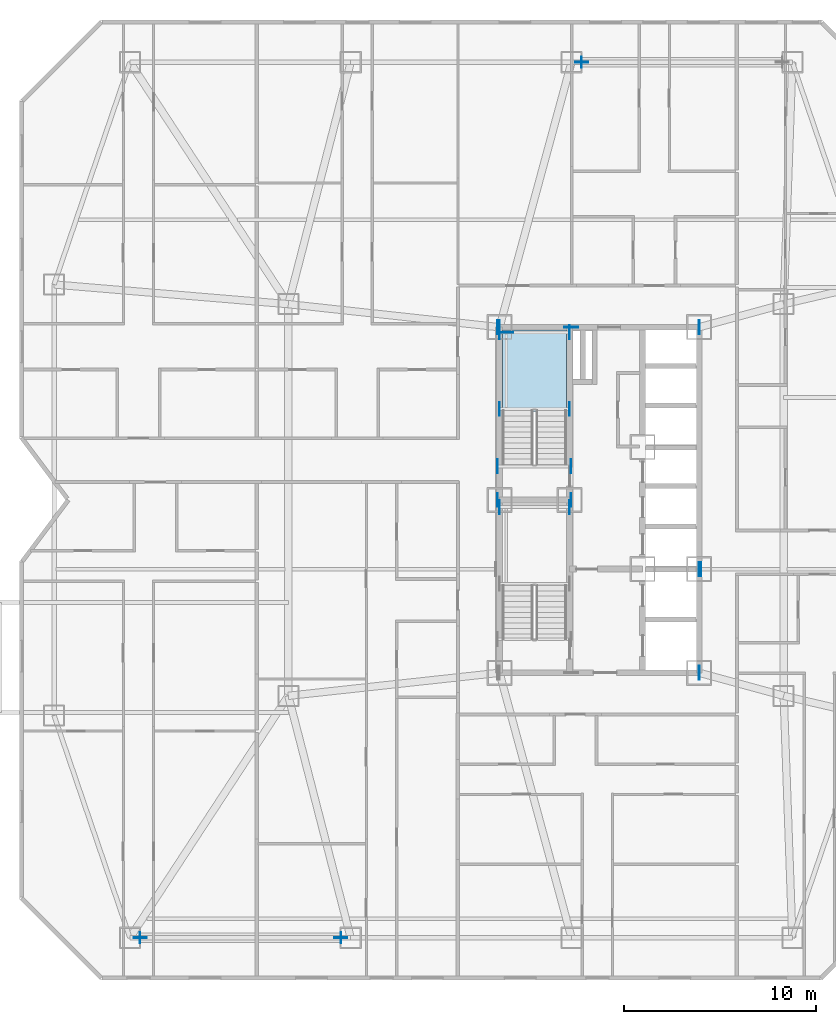
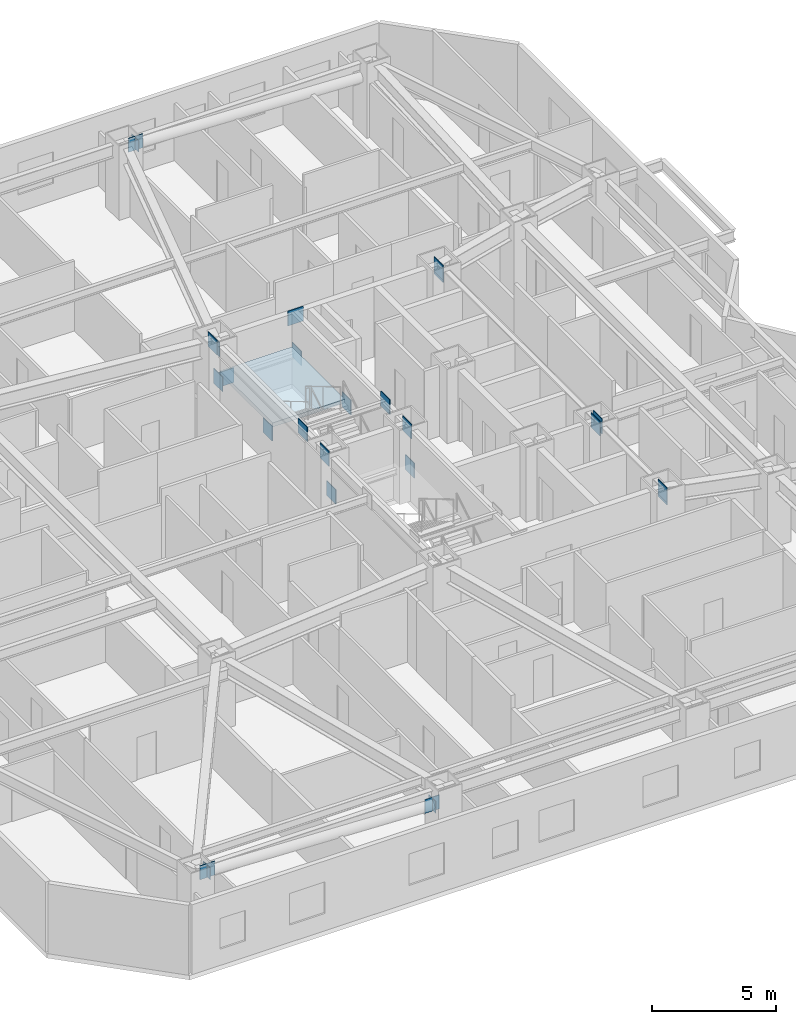
# One storey, part 4 of 13: 26 plates, 1 slab, 1 element without a shape of its own.
"""IFC4 building model written with IfcOpenShell, lengths in metres."""

import ifcopenshell
import ifcopenshell.guid

model = None  # the IFC model being written
_history = None  # IfcOwnerHistory: only IFC2X3 demands one
_inside = {}  # id of a spatial element -> (the spatial element, [elements in it])
_under = {}  # id of a project, library or spatial element -> (it, [spatial elements below it])
_declared = {}  # id of a project -> (the project, [libraries it declares])
_typed = {}  # id of a type object -> (the type object, [elements of that type])
_made_of = {}  # id of a material, layer set ... -> (it, [elements and type objects made of it])


def new_model(schema):
    """Start an empty IFC model of exactly this schema.

    Asked for "IFC4X3", IfcOpenShell would pick the latest addendum, in which some entities
    have other attributes; the version numbers below select the first issue.
    IFC2X3 requires an IfcOwnerHistory on every rooted entity: one is made here for all.
    """
    global model, _history
    if schema == "IFC4X3":
        model = ifcopenshell.file(schema_version=(4, 3, 0, 0))
    else:
        model = ifcopenshell.file(schema=schema)
    _inside.clear()
    _under.clear()
    _declared.clear()
    _typed.clear()
    _made_of.clear()
    _history = None
    if model.schema == "IFC2X3":
        org = make("IfcOrganization", Name="unknown")
        user = make(
            "IfcPersonAndOrganization",
            ThePerson=make("IfcPerson", FamilyName="unknown"),
            TheOrganization=org,
        )
        app = make(
            "IfcApplication",
            ApplicationDeveloper=org,
            Version="unknown",
            ApplicationFullName="unknown",
            ApplicationIdentifier="unknown",
        )
        _history = make(
            "IfcOwnerHistory",
            OwningUser=user,
            OwningApplication=app,
            ChangeAction="ADDED",
            CreationDate=0,
        )
    return model


def make(cls, **values):
    """One entity of the class cls with the attributes given. An attribute that is None is left unset."""
    return model.create_entity(
        cls, **{name: value for name, value in values.items() if value is not None}
    )


def rooted(cls, **values):
    """An entity with a GlobalId (a new one), such as an element, a storey or a relation."""
    return make(cls, GlobalId=ifcopenshell.guid.new(), OwnerHistory=_history, **values)


def si_unit(unit_type, name, prefix=None):
    """IfcSIUnit, for example si_unit("LENGTHUNIT", "METRE", prefix="MILLI")."""
    return make("IfcSIUnit", UnitType=unit_type, Prefix=prefix, Name=name)


def assignment(units):
    """IfcUnitAssignment: the units of a project."""
    return None if units is None else make("IfcUnitAssignment", Units=units)


def point(xyz):
    """IfcCartesianPoint."""
    return None if xyz is None else make("IfcCartesianPoint", Coordinates=xyz)


def direction(xyz):
    """IfcDirection."""
    return None if xyz is None else make("IfcDirection", DirectionRatios=xyz)


def frame(location, z_axis=None, x_axis=None):
    """IfcAxis2Placement3D, a coordinate frame: its origin and axes. An axis left out is left unset."""
    return make(
        "IfcAxis2Placement3D",
        Location=point(location),
        Axis=direction(z_axis),
        RefDirection=direction(x_axis),
    )


def frame_2d(location, x_axis=None):
    """IfcAxis2Placement2D, a coordinate frame in the plane: its origin and x axis."""
    return make(
        "IfcAxis2Placement2D", Location=point(location), RefDirection=direction(x_axis)
    )


def origin():
    """The frame at (0, 0, 0) with its axes left unset."""
    return frame((0.0, 0.0, 0.0))


def origin_2d():
    """The frame at (0, 0) in the plane with its x axis left unset."""
    return frame_2d((0.0, 0.0))


def place(relative_to, where):
    """IfcLocalPlacement: puts the frame where relative to a parent placement (None: the world)."""
    return make(
        "IfcLocalPlacement", PlacementRelTo=relative_to, RelativePlacement=where
    )


def context(
    kind, dimensions, precision=None, world=None, true_north=None, identifier=None
):
    """IfcGeometricRepresentationContext, for example the 3D "Model" context."""
    return make(
        "IfcGeometricRepresentationContext",
        ContextIdentifier=identifier,
        ContextType=kind,
        CoordinateSpaceDimension=dimensions,
        Precision=precision,
        WorldCoordinateSystem=world,
        TrueNorth=true_north,
    )


def subcontext(parent, identifier, kind, view, scale=None):
    """IfcGeometricRepresentationSubContext, for example "Body" below "Model"."""
    return make(
        "IfcGeometricRepresentationSubContext",
        ContextIdentifier=identifier,
        ContextType=kind,
        ParentContext=parent,
        TargetScale=scale,
        TargetView=view,
    )


def project(units=None, contexts=None):
    """IfcProject with its units and contexts."""
    return rooted(
        "IfcProject",
        Name="project",
        RepresentationContexts=contexts,
        UnitsInContext=assignment(units),
    )


def spatial(cls, under=None, at=None, **own):
    """A site, building, storey or space (cls), placed at a placement, below another one or the project."""
    s = rooted(cls, ObjectPlacement=at, **own)
    if under is not None:
        _under.setdefault(under.id(), (under, []))[1].append(s)
    return s


def polyline(points):
    """IfcPolyline through the points."""
    return make("IfcPolyline", Points=[point(p) for p in points])


def profile(cls, at=None, kind="AREA", **sizes):
    """A parametric profile (cls). Its sizes go by their IFC names, for example OverallWidth=200.0."""
    return make(cls, ProfileType=kind, Position=at, **sizes)


def rectangle(**sizes):
    """IfcRectangleProfileDef."""
    return profile("IfcRectangleProfileDef", **sizes)


def outline(outer, holes=None, kind="AREA"):
    """IfcArbitraryClosedProfileDef: a profile drawn as a closed curve; with holes, ...WithVoids."""
    if holes is None:
        return make("IfcArbitraryClosedProfileDef", ProfileType=kind, OuterCurve=outer)
    return make(
        "IfcArbitraryProfileDefWithVoids",
        ProfileType=kind,
        OuterCurve=outer,
        InnerCurves=holes,
    )


def extrude(swept, where, along, depth):
    """IfcExtrudedAreaSolid: the profile swept, set in the frame where, extruded along a direction by depth."""
    return make(
        "IfcExtrudedAreaSolid",
        SweptArea=swept,
        Position=where,
        ExtrudedDirection=direction(along),
        Depth=depth,
    )


def shape(context_of_items, identifier, shape_type, items):
    """IfcShapeRepresentation: the items that make up one representation, for example the "Body"."""
    return make(
        "IfcShapeRepresentation",
        ContextOfItems=context_of_items,
        RepresentationIdentifier=identifier,
        RepresentationType=shape_type,
        Items=items,
    )


def material(Name=None, Category=None):
    """IfcMaterial."""
    return make("IfcMaterial", Name=Name, Category=Category)


def layer(
    of_material, thickness, ventilated=None, Name=None, Category=None, Priority=None
):
    """IfcMaterialLayer: one layer of a wall or slab, of a material (None: an air gap)."""
    return make(
        "IfcMaterialLayer",
        Material=of_material,
        LayerThickness=thickness,
        IsVentilated=ventilated,
        Name=Name,
        Category=Category,
        Priority=Priority,
    )


def layer_set(layers, Name=None):
    """IfcMaterialLayerSet."""
    return make("IfcMaterialLayerSet", MaterialLayers=layers, LayerSetName=Name)


def made_of(thing, what):
    """Note that an element or type object is made of a material, layer set ...; save() writes the relation."""
    if what is not None:
        _made_of.setdefault(what.id(), (what, []))[1].append(thing)
    return thing


def type_object(cls, material=None, **own):
    """A type object (cls), such as IfcWallType, which elements share."""
    return made_of(rooted(cls, **own), material)


def element(
    cls,
    number,
    at=None,
    inside=None,
    cuts=None,
    type_object=None,
    material=None,
    context=None,
    identifier="Body",
    shape_type=None,
    held_by="IfcProductDefinitionShape",
    body=None,
    shapes=None,
    **own,
):
    """One element of the class cls, such as IfcWall. Its Tag is "e" and its number.

    at: its placement. inside: the storey or other place that contains it. cuts: it is an
    opening in that element (IfcRelVoidsElement). A single representation is given by context,
    identifier, shape_type and body (its items); several are given by shapes. held_by: the class
    of the entity that holds the representations. save() writes the other relations.
    """
    e = rooted(cls, Tag="e%d" % number, ObjectPlacement=at, **own)
    if body is not None:
        shapes = [shape(context, identifier, shape_type, body)]
    if shapes is not None:
        e.Representation = make(held_by, Representations=shapes)
    if inside is not None:
        _inside.setdefault(inside.id(), (inside, []))[1].append(e)
    if cuts is not None:
        rooted(
            "IfcRelVoidsElement", RelatingBuildingElement=cuts, RelatedOpeningElement=e
        )
    if type_object is not None:
        _typed.setdefault(type_object.id(), (type_object, []))[1].append(e)
    return made_of(e, material)


def aggregate(whole, parts):
    """IfcRelAggregates: a whole, such as a stair, and the parts it consists of."""
    return rooted("IfcRelAggregates", RelatingObject=whole, RelatedObjects=parts)


def save(model, path):
    """Write the relations noted so far, then the file.

    IfcRelAggregates (storeys below a building ...), IfcRelContainedInSpatialStructure (elements
    in a storey), IfcRelDefinesByType, IfcRelAssociatesMaterial and IfcRelDeclares: one each for
    every whole, place, type object, material and project.
    """
    for whole, parts in _under.values():
        aggregate(whole, parts)
    for where, things in _inside.values():
        rooted(
            "IfcRelContainedInSpatialStructure",
            RelatedElements=things,
            RelatingStructure=where,
        )
    for kind, things in _typed.values():
        rooted("IfcRelDefinesByType", RelatedObjects=things, RelatingType=kind)
    for what, things in _made_of.values():
        rooted("IfcRelAssociatesMaterial", RelatedObjects=things, RelatingMaterial=what)
    for by, libraries in _declared.values():
        rooted("IfcRelDeclares", RelatingContext=by, RelatedDefinitions=libraries)
    model.write(path)


model = new_model("IFC4")

# Units and contexts
model_context = context("Model", 3, precision=1e-05, world=origin(), true_north=direction((0.0, 1.0)))
body_context = subcontext(model_context, "Body", "Model", "MODEL_VIEW")
ifc_project = project(units=[si_unit("LENGTHUNIT", "METRE"), si_unit("AREAUNIT", "SQUARE_METRE"), si_unit("VOLUMEUNIT", "CUBIC_METRE"), si_unit("PLANEANGLEUNIT", "RADIAN"), si_unit("MASSUNIT", "GRAM", prefix="KILO")], contexts=[model_context])

# Site, building, storey
site_placement = place(None, origin())
site = spatial("IfcSite", under=ifc_project, at=site_placement, CompositionType="ELEMENT")
building_placement = place(site_placement, origin())
building = spatial("IfcBuilding", under=site, at=building_placement, Name="Khamvora Tower", CompositionType="ELEMENT")
storey_placement = place(building_placement, frame((0.0, 0.0, 62.5)))
storey = spatial("IfcBuildingStorey", under=building, at=storey_placement, Name="L15", CompositionType="ELEMENT", Elevation=62.5)

# Plates
ifc_material_1 = material(Name="Steel S355", Category="steel")
ifc_layer_1 = layer(ifc_material_1, 0.02490234375)
ifc_layer_set_1 = layer_set([ifc_layer_1], Name="Steel S355")
plate_type_1 = type_object("IfcPlateType", Name="PL-CAP-25", PredefinedType="SHEET", material=ifc_layer_set_1)
for number, where, z_axis, x_axis, name in (
    (1, (20.73193359375, 5.199951171875, 2.416015625), (0.0, 0.0, 1.0), (-1.0, 0.0, 0.0), "L15 hollow section steel end cap plate 0588"),
    (2, (10.26806640625, 5.199951171875, 2.81787109375), (0.0, 0.0, 1.0), (-1.0, 0.0, 0.0), "L15 hollow section steel end cap plate 0589"),
    (3, (33.26806640625, 50.800048828125, 2.81787109375), (0.0, 0.0, 1.0), (-1.0, 0.0, 0.0), "L15 hollow section steel end cap plate 0591"),
):
    element("IfcPlate", number, at=place(storey_placement, frame(where, z_axis=z_axis, x_axis=x_axis)), inside=storey, type_object=plate_type_1, Name=name, PredefinedType="SHEET", context=body_context, shape_type="SweptSolid", body=[
        extrude(rectangle(XDim=0.02490234375, YDim=0.568115234375, at=origin_2d()), origin(), (0.0, 0.0, 1.0), 0.568115234375),
    ])
ifc_material_2 = material(Name="Steel S460", Category="steel")
ifc_layer_2 = layer(ifc_material_2, 0.034912109375)
ifc_layer_set_2 = layer_set([ifc_layer_2], Name="Steel S460")
plate_type_2 = type_object("IfcPlateType", Name="PL-EMB-35", PredefinedType="SHEET", material=ifc_layer_set_2)
for number, where, z_axis, x_axis, name in (
    (4, (29.0, 27.6298828125, 1.1337890625), (0.0, 0.0, 1.0), (1.0, 0.0, 0.0), "L15 core shear wall cast-in embed plate 0452"),
    (5, (32.64990234375, 27.6298828125, 1.1337890625), (0.0, 0.0, 1.0), (1.0, 0.0, 0.0), "L15 core shear wall cast-in embed plate 0453"),
    (6, (29.0, 32.735107421875, 1.1337890625), (0.0, 0.0, 1.0), (1.0, 0.0, 0.0), "L15 core shear wall cast-in embed plate 0454"),
    (7, (32.64990234375, 32.735107421875, 1.1337890625), (0.0, 0.0, 1.0), (1.0, 0.0, 0.0), "L15 core shear wall cast-in embed plate 0455"),
    (8, (29.0, 36.72998046875, 1.1337890625), (0.0, 0.0, 1.0), (1.0, 0.0, 0.0), "L15 core shear wall cast-in embed plate 0456"),
    (9, (32.64990234375, 36.72998046875, 1.1337890625), (0.0, 0.0, 1.0), (1.0, 0.0, 0.0), "L15 core shear wall cast-in embed plate 0457"),
):
    element("IfcPlate", number, at=place(storey_placement, frame(where, z_axis=z_axis, x_axis=x_axis)), inside=storey, type_object=plate_type_2, Name=name, PredefinedType="SHEET", context=body_context, shape_type="SweptSolid", body=[
        extrude(rectangle(XDim=0.034912109375, YDim=0.719970703125, at=origin_2d()), origin(), (0.0, 0.0, 1.0), 0.719970703125),
    ])
plate_1_placement = place(storey_placement, frame((29.35009765625, 36.72998046875, 1.1337890625), z_axis=(0.0, 0.0, 1.0), x_axis=(1.0, 0.0, 0.0)))
element("IfcPlate", 10, at=plate_1_placement, inside=storey, type_object=plate_type_2, Name="L15 core shear wall cast-in embed plate 0458", PredefinedType="SHEET", context=body_context, shape_type="SweptSolid", body=[
    extrude(rectangle(XDim=0.719970703125, YDim=0.034912109375, at=origin_2d()), origin(), (0.0, 0.0, 1.0), 0.719970703125),
])
for number, where, z_axis, x_axis, name in (
    (11, (29.0, 37.0, 2.68408203125), (0.0, 0.0, 1.0), (1.0, 0.0, 0.0), "L15 core shear wall cast-in embed plate 0460"),
    (12, (39.39990234375, 19.0, 2.68408203125), (0.0, 0.0, 1.0), (1.0, 0.0, 0.0), "L15 core shear wall cast-in embed plate 0461"),
    (13, (39.39990234375, 37.0, 2.68408203125), (0.0, 0.0, 1.0), (1.0, 0.0, 0.0), "L15 core shear wall cast-in embed plate 0462"),
    (14, (28.89990234375, 28.0, 2.80419921875), (0.0, 0.0, 1.0), (1.0, 0.0, 0.0), "L15 core shear wall cast-in embed plate 0464"),
    (15, (28.89990234375, 37.0, 2.80419921875), (0.0, 0.0, 1.0), (1.0, 0.0, 0.0), "L15 core shear wall cast-in embed plate 0465"),
    (16, (32.72998046875, 28.0, 2.80419921875), (0.0, 0.0, 1.0), (1.0, 0.0, 0.0), "L15 core shear wall cast-in embed plate 0467"),
):
    element("IfcPlate", number, at=place(storey_placement, frame(where, z_axis=z_axis, x_axis=x_axis)), inside=storey, type_object=plate_type_2, Name=name, PredefinedType="SHEET", context=body_context, shape_type="SweptSolid", body=[
        extrude(rectangle(XDim=0.034912109375, YDim=0.719970703125, at=origin_2d()), origin(), (0.0, 0.0, 1.0), 0.719970703125),
    ])
plate_2_placement = place(storey_placement, frame((32.72998046875, 37.0, 2.80419921875), z_axis=(0.0, 0.0, 1.0), x_axis=(1.0, 0.0, 0.0)))
element("IfcPlate", 17, at=plate_2_placement, inside=storey, type_object=plate_type_2, Name="L15 core shear wall cast-in embed plate 0468", PredefinedType="SHEET", context=body_context, shape_type="SweptSolid", body=[
    extrude(rectangle(XDim=0.719970703125, YDim=0.034912109375, at=origin_2d()), origin(), (0.0, 0.0, 1.0), 0.719970703125),
])
for number, where, z_axis, x_axis, name in (
    (18, (39.39990234375, 19.0, 2.80419921875), (0.0, 0.0, 1.0), (1.0, 0.0, 0.0), "L15 core shear wall cast-in embed plate 0469"),
    (19, (39.39990234375, 24.39990234375, 2.80419921875), (0.0, 0.0, 1.0), (1.0, 0.0, 0.0), "L15 core shear wall cast-in embed plate 0470"),
    (20, (39.39990234375, 37.0, 2.80419921875), (0.0, 0.0, 1.0), (1.0, 0.0, 0.0), "L15 core shear wall cast-in embed plate 0471"),
    (21, (28.89990234375, 29.75, 2.94384765625), (0.0, 0.0, 1.0), (1.0, 0.0, 0.0), "L15 core shear wall cast-in embed plate 0474"),
    (22, (32.72998046875, 29.75, 2.94384765625), (0.0, 0.0, 1.0), (1.0, 0.0, 0.0), "L15 core shear wall cast-in embed plate 0475"),
    (23, (39.4990234375, 24.39990234375, 2.8671875), (0.0, 0.0, 1.0), (1.0, 0.0, 0.0), "L15 core shear wall cast-in embed plate 0477"),
):
    element("IfcPlate", number, at=place(storey_placement, frame(where, z_axis=z_axis, x_axis=x_axis)), inside=storey, type_object=plate_type_2, Name=name, PredefinedType="SHEET", context=body_context, shape_type="SweptSolid", body=[
        extrude(rectangle(XDim=0.034912109375, YDim=0.719970703125, at=origin_2d()), origin(), (0.0, 0.0, 1.0), 0.719970703125),
    ])
ifc_layer_3 = layer(ifc_material_2, 0.0400390625)
ifc_layer_set_3 = layer_set([ifc_layer_3], Name="Steel S460")
plate_type_3 = type_object("IfcPlateType", Name="PLT-GUS-40", PredefinedType="SHEET", material=ifc_layer_set_3)
for number, where, z_axis, x_axis, name in (
    (24, (20.719970703125, 5.199951171875, 2.35986328125), (0.0, 0.0, 1.0), (1.0, 0.0, 0.0), "L15 brace connection node gusset plate 0105"),
    (25, (10.280029296875, 5.199951171875, 2.76220703125), (0.0, 0.0, 1.0), (1.0, 0.0, 0.0), "L15 brace connection node gusset plate 0106"),
    (26, (33.280029296875, 50.800048828125, 2.76220703125), (0.0, 0.0, 1.0), (1.0, 0.0, 0.0), "L15 brace connection node gusset plate 0108"),
):
    element("IfcPlate", number, at=place(storey_placement, frame(where, z_axis=z_axis, x_axis=x_axis)), inside=storey, type_object=plate_type_3, Name=name, PredefinedType="SHEET", context=body_context, shape_type="SweptSolid", body=[
        extrude(rectangle(XDim=0.679931640625, YDim=0.0400390625, at=origin_2d()), origin(), (0.0, 0.0, 1.0), 0.679931640625),
    ])

# Stair, slab
ifc_material_3 = material(Name="Concrete C40/50", Category="concrete")
stair_type = type_object("IfcStairType", Name="STR-ST-02", PredefinedType="HALF_TURN_STAIR", material=ifc_material_3)
stair_placement = place(storey_placement, origin())
stair = element("IfcStair", 27, at=stair_placement, inside=storey, type_object=stair_type, Name="L15 North Tower Exit Stair ST-02", PredefinedType="HALF_TURN_STAIR")
ifc_layer_4 = layer(ifc_material_3, 0.199951171875)
ifc_layer_set_4 = layer_set([ifc_layer_4], Name="Concrete C40/50")
slab_type = type_object("IfcSlabType", Name="SLB-LND-200", PredefinedType="LANDING", material=ifc_layer_set_4)
slab_placement = place(storey_placement, frame((0.0, 0.0, 1.625)))
slab = element("IfcSlab", 28, at=slab_placement, type_object=slab_type, Name="ST-02 landing 1", PredefinedType="LANDING", context=body_context, shape_type="SweptSolid", body=[
    extrude(outline(polyline([(32.5, 32.614990234375), (32.5, 36.85009765625), (29.14990234375, 36.85009765625), (29.14990234375, 32.614990234375), (32.5, 32.614990234375)])), origin(), (0.0, 0.0, 1.0), 0.199951171875),
])
aggregate(stair, [slab])

save(model, "model.ifc")
